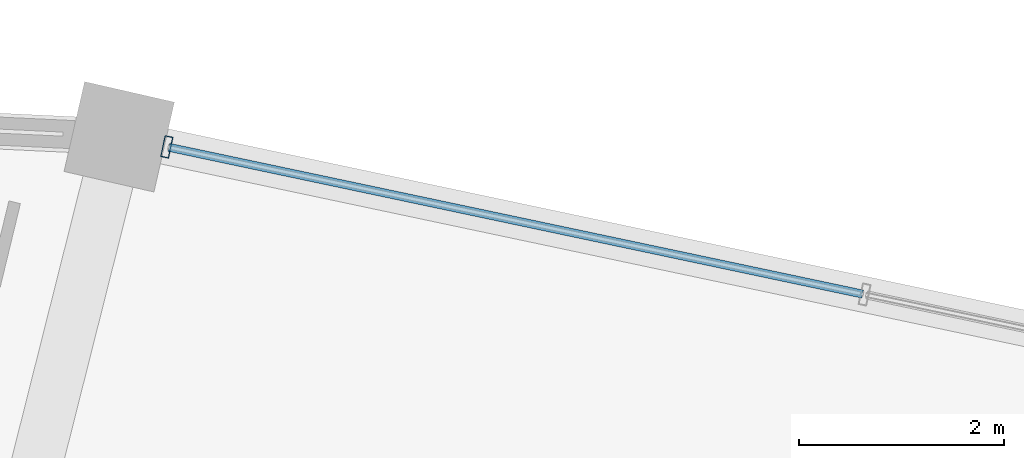
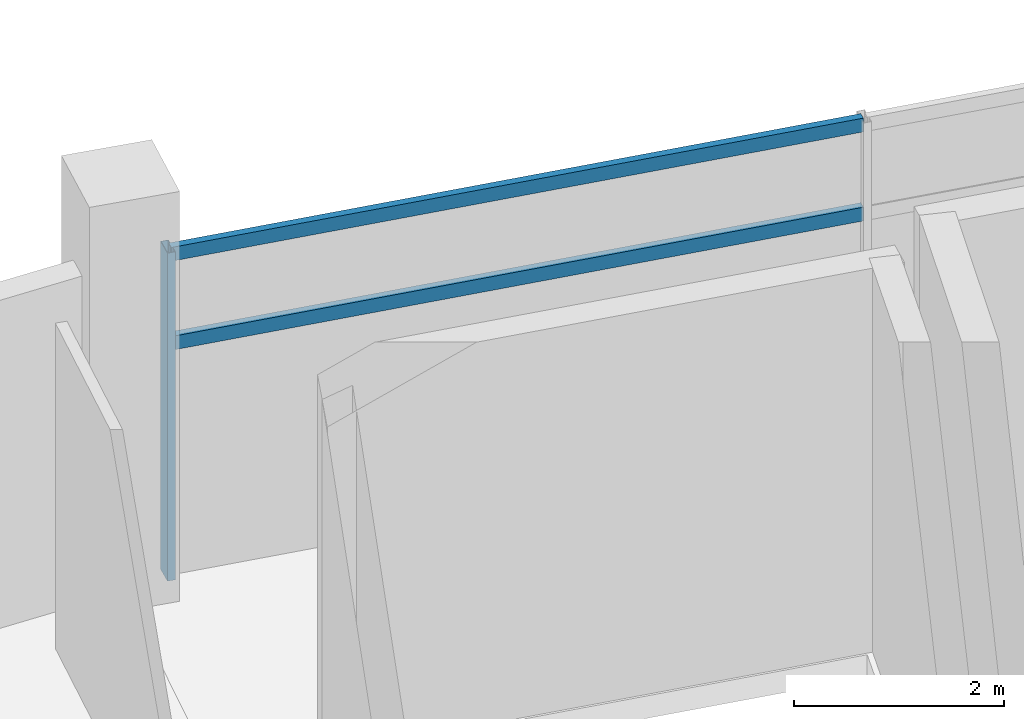
# One storey, part 109 of 171: 3 members, 1 element without a shape of its own.
"""IFC4 building model written with IfcOpenShell, lengths in metres."""

from ifc_helpers import new_model, si_unit, direction, frame, origin, origin_2d, place, context, subcontext, project, spatial, hollow_rectangle, extrude, material, layer, layer_set, material_profile, profile_set, type_object, element, aggregate, save


model = new_model("IFC4")

# Units and contexts
model_context = context("Model", 3, precision=1e-05, world=origin(), true_north=direction((0.0, 1.0)))
body_context = subcontext(model_context, "Body", "Model", "MODEL_VIEW")
ifc_project = project(units=[si_unit("LENGTHUNIT", "METRE"), si_unit("AREAUNIT", "SQUARE_METRE"), si_unit("VOLUMEUNIT", "CUBIC_METRE"), si_unit("PLANEANGLEUNIT", "RADIAN"), si_unit("MASSUNIT", "GRAM", prefix="KILO")], contexts=[model_context])

# Site, building, storey
site_placement = place(None, origin())
site = spatial("IfcSite", under=ifc_project, at=site_placement, CompositionType="ELEMENT")
building_placement = place(site_placement, origin())
building = spatial("IfcBuilding", under=site, at=building_placement, Name="Kazemori Nagisa Stadium", CompositionType="ELEMENT")
storey_placement = place(building_placement, frame((0.0, 0.0, 15.639892578125)))
storey = spatial("IfcBuildingStorey", under=building, at=storey_placement, Name="L03", CompositionType="ELEMENT", Elevation=15.639892578125)

# Curtain wall, members
ifc_material_1 = material(Name="Anodised aluminium 6063-T5", Category="aluminium")
ifc_layer = layer(ifc_material_1, 0.2099609375, Name="Anodised aluminium 6063-T5", Category="aluminium")
ifc_layer_set = layer_set([ifc_layer], Name="Anodised aluminium 6063-T5")
curtain_wall_type = type_object("IfcCurtainWallType", Name="CW_L03R3_105", PredefinedType="USERDEFINED", material=ifc_layer_set)
curtain_wall_placement = place(storey_placement, origin())
curtain_wall = element("IfcCurtainWall", 1, at=curtain_wall_placement, inside=storey, type_object=curtain_wall_type, Name="Unitised curtain wall CW-L03R3-105 L03", ObjectType="UNITISED CURTAIN WALL", PredefinedType="USERDEFINED")
ifc_material_2 = material(Name="Aluminium 6063-T5 anodised", Category="aluminium")
ifc_material_profile_1 = material_profile(ifc_material_2, hollow_rectangle(XDim=0.080078125, YDim=0.2099609375, WallThickness=0.0048828125, at=origin_2d()), Name="ALU-MULL-80x210x5")
ifc_profile_set_1 = profile_set([ifc_material_profile_1], Name="Aluminium 6063-T5 anodised")
member_type_1 = type_object("IfcMemberType", Name="Mullion_M02", PredefinedType="MULLION", material=ifc_profile_set_1)
member_1_placement = place(storey_placement, frame((144.892333984375, 186.888427734375, 0.0), z_axis=(0.0, 0.0, 1.0), x_axis=(-0.978344955407, 0.206981033502, 0.0)))
member_1 = element("IfcMember", 2, at=member_1_placement, type_object=member_type_1, Name="Curtain wall mullion CW-L03R3-105-M4", PredefinedType="MULLION", context=body_context, shape_type="SweptSolid", body=[
    extrude(hollow_rectangle(XDim=0.080078125, YDim=0.2099609375, WallThickness=0.0048828125, at=origin_2d()), origin(), (0.0, 0.0, 1.0), 3.81005859375),
])
ifc_material_profile_2 = material_profile(ifc_material_2, hollow_rectangle(XDim=0.080078125, YDim=0.159912109375, WallThickness=0.00390625, at=origin_2d()), Name="ALU-TRAN-80x160x4")
ifc_profile_set_2 = profile_set([ifc_material_profile_2], Name="Aluminium 6063-T5 anodised")
member_type_2 = type_object("IfcMemberType", Name="Transom_T02", PredefinedType="USERDEFINED", material=ifc_profile_set_2)
member_2_placement = place(storey_placement, frame((151.688720703125, 185.45068359375, 2.705322265625), z_axis=(-0.978348879673, 0.20696248366, 0.0), x_axis=(-0.20696248366, -0.978348879673, 0.0)))
member_2 = element("IfcMember", 3, at=member_2_placement, type_object=member_type_2, Name="Curtain wall transom CW-L03R3-105-T3-mid", ObjectType="TRANSOM", PredefinedType="USERDEFINED", context=body_context, shape_type="SweptSolid", body=[
    extrude(hollow_rectangle(XDim=0.080078125, YDim=0.159912109375, WallThickness=0.00390625, at=origin_2d()), origin(), (0.0, 0.0, 1.0), 6.9267578125),
])
member_3_placement = place(storey_placement, frame((151.688720703125, 185.45068359375, 3.739990234375), z_axis=(-0.978348879673, 0.20696248366, 0.0), x_axis=(-0.20696248366, -0.978348879673, 0.0)))
member_3 = element("IfcMember", 4, at=member_3_placement, type_object=member_type_2, Name="Curtain wall transom CW-L03R3-105-T3-head", ObjectType="TRANSOM", PredefinedType="USERDEFINED", context=body_context, shape_type="SweptSolid", body=[
    extrude(hollow_rectangle(XDim=0.080078125, YDim=0.159912109375, WallThickness=0.00390625, at=origin_2d()), origin(), (0.0, 0.0, 1.0), 6.9267578125),
])
aggregate(curtain_wall, [member_1, member_2, member_3])

save(model, "model.ifc")
